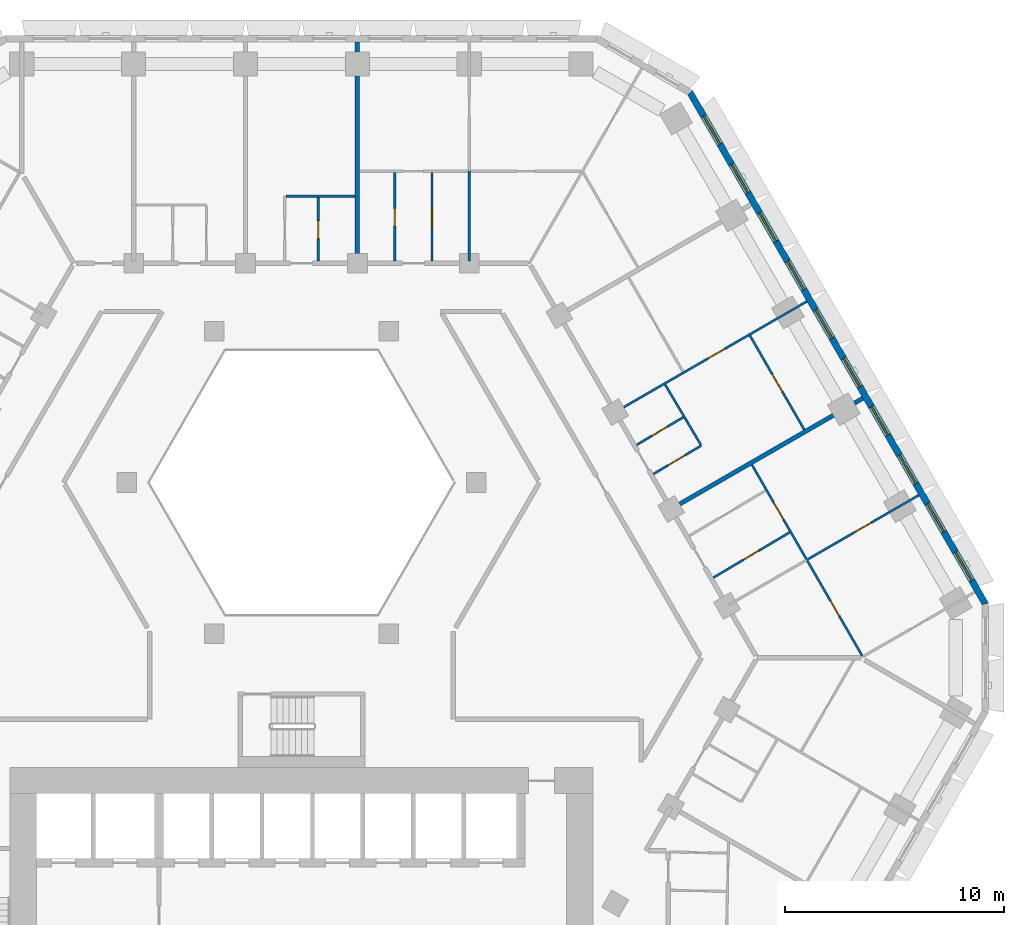
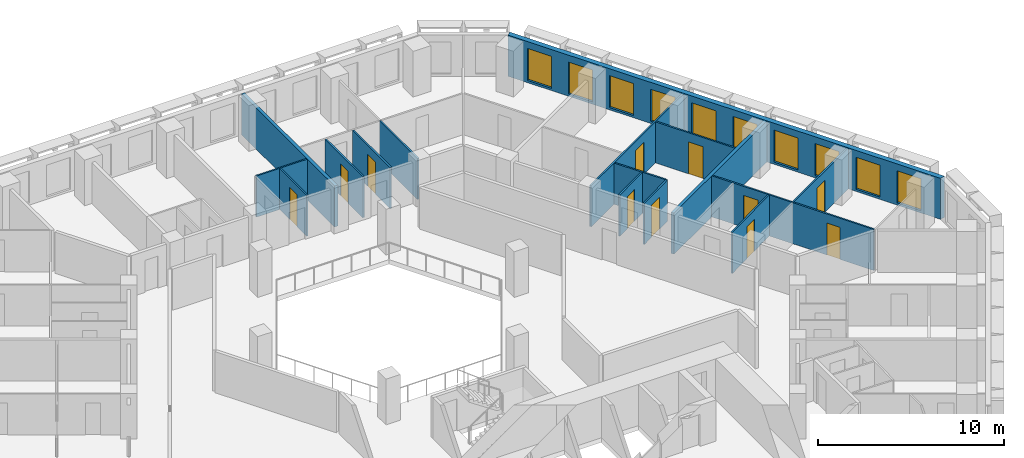
# One storey, part 11 of 21: 16 walls, 11 doors, 10 windows, 21 openings.
"""IFC4 building model written with IfcOpenShell, lengths in metres."""

from ifc_helpers import new_model, si_unit, direction, frame, frame_2d, origin, place, context, subcontext, project, spatial, polyline, rectangle, outline, extrude, material, layer, layer_set, type_object, element, fill, save


model = new_model("IFC4")

# Units and contexts
model_context = context("Model", 3, precision=1e-05, world=origin(), true_north=direction((0.0, 1.0)))
body_context = subcontext(model_context, "Body", "Model", "MODEL_VIEW")
ifc_project = project(units=[si_unit("LENGTHUNIT", "METRE"), si_unit("AREAUNIT", "SQUARE_METRE"), si_unit("VOLUMEUNIT", "CUBIC_METRE"), si_unit("PLANEANGLEUNIT", "RADIAN"), si_unit("MASSUNIT", "GRAM", prefix="KILO")], contexts=[model_context])

# Site, building, storey
site_placement = place(None, origin())
site = spatial("IfcSite", under=ifc_project, at=site_placement, CompositionType="ELEMENT")
building_placement = place(site_placement, origin())
building = spatial("IfcBuilding", under=site, at=building_placement, Name="Beryl Residences", CompositionType="ELEMENT")
storey_placement = place(building_placement, frame((0.0, 0.0, 35.39990234375)))
storey = spatial("IfcBuildingStorey", under=building, at=storey_placement, Name="L10", CompositionType="ELEMENT", Elevation=35.39990234375)

# Wall, openings, windows
ifc_material_1 = material(Name="Composite metal panel with mineral wool insulation")
ifc_layer_1 = layer(ifc_material_1, 0.300048828125)
ifc_layer_set_1 = layer_set([ifc_layer_1], Name="ES1 pale metal composite panel wall 300 mm")
wall_type_1 = type_object("IfcWallType", Name="ES1 pale metal composite panel wall 300 mm", PredefinedType="SOLIDWALL", material=ifc_layer_set_1)
wall_1_placement = place(storey_placement, frame((31.219970703125, 2.425048828125, 0.0), z_axis=(0.0, 0.0, 1.0), x_axis=(-0.500001938803, 0.866024284413, 0.0)))
wall_1 = element("IfcWall", 1, at=wall_1_placement, inside=storey, type_object=wall_type_1, Name="ES1 external wall L10 NE", PredefinedType="SOLIDWALL", context=body_context, shape_type="SweptSolid", body=[
    extrude(outline(polyline([(0.0, -0.14990234375), (27.02001953125, -0.14990234375), (26.939697265625, 0.14990234375), (0.080322265625, 0.14990234375), (0.0, -0.14990234375)])), origin(), (0.0, 0.0, 1.0), 2.7001953125),
])
opening_1_placement = place(wall_1_placement, frame((1.277099609375, 0.0, 0.14990234375)))
opening_1 = element("IfcOpeningElement", 2, at=opening_1_placement, cuts=wall_1, Name="Opening W1", PredefinedType="OPENING", context=body_context, shape_type="SweptSolid", body=[
    extrude(rectangle(XDim=1.5, YDim=2.10009765625, at=frame_2d((0.75, 1.050048828125))), frame((0.0, 0.159912109375, 0.0), z_axis=(0.0, -1.0, 0.0), x_axis=(1.0, 0.0, 0.0)), (0.0, 0.0, 1.0), 0.320068359375),
])
opening_2_placement = place(wall_1_placement, frame((3.8291015625, 0.0, 0.14990234375)))
opening_2 = element("IfcOpeningElement", 3, at=opening_2_placement, cuts=wall_1, Name="Opening W1", PredefinedType="OPENING", context=body_context, shape_type="SweptSolid", body=[
    extrude(rectangle(XDim=1.5, YDim=2.10009765625, at=frame_2d((0.75, 1.050048828125))), frame((0.0, 0.159912109375, 0.0), z_axis=(0.0, -1.0, 0.0), x_axis=(1.0, 0.0, 0.0)), (0.0, 0.0, 1.0), 0.320068359375),
])
opening_3_placement = place(wall_1_placement, frame((6.382080078125, 0.0, 0.14990234375)))
opening_3 = element("IfcOpeningElement", 4, at=opening_3_placement, cuts=wall_1, Name="Opening W1", PredefinedType="OPENING", context=body_context, shape_type="SweptSolid", body=[
    extrude(rectangle(XDim=1.5, YDim=2.10009765625, at=frame_2d((0.75, 1.050048828125))), frame((0.0, 0.159912109375, 0.0), z_axis=(0.0, -1.0, 0.0), x_axis=(1.0, 0.0, 0.0)), (0.0, 0.0, 1.0), 0.320068359375),
])
opening_4_placement = place(wall_1_placement, frame((8.93310546875, 0.0, 0.14990234375)))
opening_4 = element("IfcOpeningElement", 5, at=opening_4_placement, cuts=wall_1, Name="Opening W1", PredefinedType="OPENING", context=body_context, shape_type="SweptSolid", body=[
    extrude(rectangle(XDim=1.5, YDim=2.10009765625, at=frame_2d((0.75, 1.050048828125))), frame((0.0, 0.159912109375, 0.0), z_axis=(0.0, -1.0, 0.0), x_axis=(1.0, 0.0, 0.0)), (0.0, 0.0, 1.0), 0.320068359375),
])
opening_5_placement = place(wall_1_placement, frame((11.485107421875, 0.0, 0.14990234375)))
opening_5 = element("IfcOpeningElement", 6, at=opening_5_placement, cuts=wall_1, Name="Opening W1", PredefinedType="OPENING", context=body_context, shape_type="SweptSolid", body=[
    extrude(rectangle(XDim=1.5, YDim=2.10009765625, at=frame_2d((0.75, 1.050048828125))), frame((0.0, 0.159912109375, 0.0), z_axis=(0.0, -1.0, 0.0), x_axis=(1.0, 0.0, 0.0)), (0.0, 0.0, 1.0), 0.320068359375),
])
opening_6_placement = place(wall_1_placement, frame((14.037109375, 0.0, 0.14990234375)))
opening_6 = element("IfcOpeningElement", 7, at=opening_6_placement, cuts=wall_1, Name="Opening W1", PredefinedType="OPENING", context=body_context, shape_type="SweptSolid", body=[
    extrude(rectangle(XDim=1.5, YDim=2.10009765625, at=frame_2d((0.75, 1.050048828125))), frame((0.0, 0.159912109375, 0.0), z_axis=(0.0, -1.0, 0.0), x_axis=(1.0, 0.0, 0.0)), (0.0, 0.0, 1.0), 0.320068359375),
])
opening_7_placement = place(wall_1_placement, frame((16.589111328125, 0.0, 0.14990234375)))
opening_7 = element("IfcOpeningElement", 8, at=opening_7_placement, cuts=wall_1, Name="Opening W1", PredefinedType="OPENING", context=body_context, shape_type="SweptSolid", body=[
    extrude(rectangle(XDim=1.5, YDim=2.10009765625, at=frame_2d((0.75, 1.050048828125))), frame((0.0, 0.159912109375, 0.0), z_axis=(0.0, -1.0, 0.0), x_axis=(1.0, 0.0, 0.0)), (0.0, 0.0, 1.0), 0.320068359375),
])
opening_8_placement = place(wall_1_placement, frame((19.14111328125, 0.0, 0.14990234375)))
opening_8 = element("IfcOpeningElement", 9, at=opening_8_placement, cuts=wall_1, Name="Opening W1", PredefinedType="OPENING", context=body_context, shape_type="SweptSolid", body=[
    extrude(rectangle(XDim=1.5, YDim=2.10009765625, at=frame_2d((0.75, 1.050048828125))), frame((0.0, 0.159912109375, 0.0), z_axis=(0.0, -1.0, 0.0), x_axis=(1.0, 0.0, 0.0)), (0.0, 0.0, 1.0), 0.320068359375),
])
opening_9_placement = place(wall_1_placement, frame((21.693115234375, 0.0, 0.14990234375)))
opening_9 = element("IfcOpeningElement", 10, at=opening_9_placement, cuts=wall_1, Name="Opening W1", PredefinedType="OPENING", context=body_context, shape_type="SweptSolid", body=[
    extrude(rectangle(XDim=1.5, YDim=2.10009765625, at=frame_2d((0.75, 1.050048828125))), frame((0.0, 0.159912109375, 0.0), z_axis=(0.0, -1.0, 0.0), x_axis=(1.0, 0.0, 0.0)), (0.0, 0.0, 1.0), 0.320068359375),
])
opening_10_placement = place(wall_1_placement, frame((24.243896484375, 0.0, 0.14990234375)))
opening_10 = element("IfcOpeningElement", 11, at=opening_10_placement, cuts=wall_1, Name="Opening W1", PredefinedType="OPENING", context=body_context, shape_type="SweptSolid", body=[
    extrude(rectangle(XDim=1.5, YDim=2.10009765625, at=frame_2d((0.75, 1.050048828125))), frame((0.0, 0.159912109375, 0.0), z_axis=(0.0, -1.0, 0.0), x_axis=(1.0, 0.0, 0.0)), (0.0, 0.0, 1.0), 0.320068359375),
])
ifc_material_2 = material(Name="Aluminium and clear glass", Category="aluminium")
window_type = type_object("IfcWindowType", Name="W1 cell window 1500 x 2100 mm", PartitioningType="SINGLE_PANEL", PredefinedType="WINDOW", material=ifc_material_2)
window_1_placement = place(opening_1_placement, origin())
window_1 = element("IfcWindow", 12, at=window_1_placement, inside=storey, type_object=window_type, Name="W1 window L10 NE 1", OverallHeight=2.10009765625, OverallWidth=1.5, PartitioningType="SINGLE_PANEL", PredefinedType="WINDOW", context=body_context, shape_type="SweptSolid", body=[
    extrude(rectangle(XDim=1.5, YDim=2.10009765625, at=frame_2d((0.75, 1.050048828125))), frame((0.0, 0.030029296875, 0.0), z_axis=(0.0, -1.0, 0.0), x_axis=(1.0, 0.0, 0.0)), (0.0, 0.0, 1.0), 0.06005859375),
])
fill(opening_1, window_1)
window_2_placement = place(opening_2_placement, origin())
window_2 = element("IfcWindow", 13, at=window_2_placement, inside=storey, type_object=window_type, Name="W1 window L10 NE 2", OverallHeight=2.10009765625, OverallWidth=1.5, PartitioningType="SINGLE_PANEL", PredefinedType="WINDOW", context=body_context, shape_type="SweptSolid", body=[
    extrude(rectangle(XDim=1.5, YDim=2.10009765625, at=frame_2d((0.75, 1.050048828125))), frame((0.0, 0.030029296875, 0.0), z_axis=(0.0, -1.0, 0.0), x_axis=(1.0, 0.0, 0.0)), (0.0, 0.0, 1.0), 0.06005859375),
])
fill(opening_2, window_2)
window_3_placement = place(opening_3_placement, origin())
window_3 = element("IfcWindow", 14, at=window_3_placement, inside=storey, type_object=window_type, Name="W1 window L10 NE 3", OverallHeight=2.10009765625, OverallWidth=1.5, PartitioningType="SINGLE_PANEL", PredefinedType="WINDOW", context=body_context, shape_type="SweptSolid", body=[
    extrude(rectangle(XDim=1.5, YDim=2.10009765625, at=frame_2d((0.75, 1.050048828125))), frame((0.0, 0.030029296875, 0.0), z_axis=(0.0, -1.0, 0.0), x_axis=(1.0, 0.0, 0.0)), (0.0, 0.0, 1.0), 0.06005859375),
])
fill(opening_3, window_3)
window_4_placement = place(opening_4_placement, origin())
window_4 = element("IfcWindow", 15, at=window_4_placement, inside=storey, type_object=window_type, Name="W1 window L10 NE 4", OverallHeight=2.10009765625, OverallWidth=1.5, PartitioningType="SINGLE_PANEL", PredefinedType="WINDOW", context=body_context, shape_type="SweptSolid", body=[
    extrude(rectangle(XDim=1.5, YDim=2.10009765625, at=frame_2d((0.75, 1.050048828125))), frame((0.0, 0.030029296875, 0.0), z_axis=(0.0, -1.0, 0.0), x_axis=(1.0, 0.0, 0.0)), (0.0, 0.0, 1.0), 0.06005859375),
])
fill(opening_4, window_4)
window_5_placement = place(opening_5_placement, origin())
window_5 = element("IfcWindow", 16, at=window_5_placement, inside=storey, type_object=window_type, Name="W1 window L10 NE 5", OverallHeight=2.10009765625, OverallWidth=1.5, PartitioningType="SINGLE_PANEL", PredefinedType="WINDOW", context=body_context, shape_type="SweptSolid", body=[
    extrude(rectangle(XDim=1.5, YDim=2.10009765625, at=frame_2d((0.75, 1.050048828125))), frame((0.0, 0.030029296875, 0.0), z_axis=(0.0, -1.0, 0.0), x_axis=(1.0, 0.0, 0.0)), (0.0, 0.0, 1.0), 0.06005859375),
])
fill(opening_5, window_5)
window_6_placement = place(opening_6_placement, origin())
window_6 = element("IfcWindow", 17, at=window_6_placement, inside=storey, type_object=window_type, Name="W1 window L10 NE 6", OverallHeight=2.10009765625, OverallWidth=1.5, PartitioningType="SINGLE_PANEL", PredefinedType="WINDOW", context=body_context, shape_type="SweptSolid", body=[
    extrude(rectangle(XDim=1.5, YDim=2.10009765625, at=frame_2d((0.75, 1.050048828125))), frame((0.0, 0.030029296875, 0.0), z_axis=(0.0, -1.0, 0.0), x_axis=(1.0, 0.0, 0.0)), (0.0, 0.0, 1.0), 0.06005859375),
])
fill(opening_6, window_6)
window_7_placement = place(opening_7_placement, origin())
window_7 = element("IfcWindow", 18, at=window_7_placement, inside=storey, type_object=window_type, Name="W1 window L10 NE 7", OverallHeight=2.10009765625, OverallWidth=1.5, PartitioningType="SINGLE_PANEL", PredefinedType="WINDOW", context=body_context, shape_type="SweptSolid", body=[
    extrude(rectangle(XDim=1.5, YDim=2.10009765625, at=frame_2d((0.75, 1.050048828125))), frame((0.0, 0.030029296875, 0.0), z_axis=(0.0, -1.0, 0.0), x_axis=(1.0, 0.0, 0.0)), (0.0, 0.0, 1.0), 0.06005859375),
])
fill(opening_7, window_7)
window_8_placement = place(opening_8_placement, origin())
window_8 = element("IfcWindow", 19, at=window_8_placement, inside=storey, type_object=window_type, Name="W1 window L10 NE 8", OverallHeight=2.10009765625, OverallWidth=1.5, PartitioningType="SINGLE_PANEL", PredefinedType="WINDOW", context=body_context, shape_type="SweptSolid", body=[
    extrude(rectangle(XDim=1.5, YDim=2.10009765625, at=frame_2d((0.75, 1.050048828125))), frame((0.0, 0.030029296875, 0.0), z_axis=(0.0, -1.0, 0.0), x_axis=(1.0, 0.0, 0.0)), (0.0, 0.0, 1.0), 0.06005859375),
])
fill(opening_8, window_8)
window_9_placement = place(opening_9_placement, origin())
window_9 = element("IfcWindow", 20, at=window_9_placement, inside=storey, type_object=window_type, Name="W1 window L10 NE 9", OverallHeight=2.10009765625, OverallWidth=1.5, PartitioningType="SINGLE_PANEL", PredefinedType="WINDOW", context=body_context, shape_type="SweptSolid", body=[
    extrude(rectangle(XDim=1.5, YDim=2.10009765625, at=frame_2d((0.75, 1.050048828125))), frame((0.0, 0.030029296875, 0.0), z_axis=(0.0, -1.0, 0.0), x_axis=(1.0, 0.0, 0.0)), (0.0, 0.0, 1.0), 0.06005859375),
])
fill(opening_9, window_9)
window_10_placement = place(opening_10_placement, origin())
window_10 = element("IfcWindow", 21, at=window_10_placement, inside=storey, type_object=window_type, Name="W1 window L10 NE 10", OverallHeight=2.10009765625, OverallWidth=1.5, PartitioningType="SINGLE_PANEL", PredefinedType="WINDOW", context=body_context, shape_type="SweptSolid", body=[
    extrude(rectangle(XDim=1.5, YDim=2.10009765625, at=frame_2d((0.75, 1.050048828125))), frame((0.0, 0.030029296875, 0.0), z_axis=(0.0, -1.0, 0.0), x_axis=(1.0, 0.0, 0.0)), (0.0, 0.0, 1.0), 0.06005859375),
])
fill(opening_10, window_10)

# Wall
ifc_material_3 = material(Name="Gypsum board partition on steel studs", Category="steel")
ifc_layer_2 = layer(ifc_material_3, 0.10009765625)
ifc_layer_set_2 = layer_set([ifc_layer_2], Name="PT1 partition 100 mm gypsum board on steel studs")
wall_type_2 = type_object("IfcWallType", Name="PT1 partition 100 mm gypsum board on steel studs", PredefinedType="PARTITIONING", material=ifc_layer_set_2)
wall_2_placement = place(storey_placement, frame((16.589111328125, 12.468017578125, 0.0), z_axis=(0.0, 0.0, 1.0), x_axis=(0.510331599186, -0.859977708358, 0.0)))
element("IfcWall", 22, at=wall_2_placement, inside=storey, type_object=wall_type_2, Name="Wall PT1 L10 001", PredefinedType="PARTITIONING", context=body_context, shape_type="SweptSolid", body=[
    extrude(rectangle(XDim=3.18603515625, YDim=0.10009765625, at=frame_2d((1.593017578125, 0.0))), origin(), (0.0, 0.0, 1.0), 2.7001953125),
])

# Wall, openings, doors
wall_3_placement = place(storey_placement, frame((20.551025390625, 8.804931640625, 0.0), z_axis=(0.0, 0.0, 1.0), x_axis=(0.499984387913, -0.86603441724, 0.0)))
wall_3 = element("IfcWall", 23, at=wall_3_placement, inside=storey, type_object=wall_type_2, Name="Wall PT1 L10 005", PredefinedType="PARTITIONING", context=body_context, shape_type="SweptSolid", body=[
    extrude(rectangle(XDim=10.058349609375, YDim=0.10009765625, at=frame_2d((5.029296875, 0.0))), origin(), (0.0, 0.0, 1.0), 2.7001953125),
])
opening_11_placement = place(wall_3_placement, frame((1.97802734375, 0.0, 0.0)))
opening_11 = element("IfcOpeningElement", 24, at=opening_11_placement, cuts=wall_3, Name="Opening D0131", PredefinedType="OPENING", context=body_context, shape_type="SweptSolid", body=[
    extrude(rectangle(XDim=0.89990234375, YDim=2.10009765625, at=frame_2d((0.449951171875, 1.050048828125))), frame((0.0, 0.06005859375, 0.0), z_axis=(0.0, -1.0, 0.0), x_axis=(1.0, 0.0, 0.0)), (0.0, 0.0, 1.0), 0.1201171875),
])
opening_12_placement = place(wall_3_placement, frame((7.156982421875, 0.0, 0.0)))
opening_12 = element("IfcOpeningElement", 25, at=opening_12_placement, cuts=wall_3, Name="Opening D0134", PredefinedType="OPENING", context=body_context, shape_type="SweptSolid", body=[
    extrude(rectangle(XDim=0.800048828125, YDim=2.10009765625, at=frame_2d((0.39990234375, 1.050048828125))), frame((0.0, 0.06005859375, 0.0), z_axis=(0.0, -1.0, 0.0), x_axis=(1.0, 0.0, 0.0)), (0.0, 0.0, 1.0), 0.1201171875),
])
ifc_material_4 = material(Name="Timber door leaf", Category="wood")
door_type_1 = type_object("IfcDoorType", Name="D2 room door 900 x 2100 mm", OperationType="SINGLE_SWING_LEFT", PredefinedType="DOOR", material=ifc_material_4)
door_1_placement = place(opening_11_placement, origin())
door_1 = element("IfcDoor", 26, at=door_1_placement, inside=storey, type_object=door_type_1, Name="Door D0131 L10 001", OperationType="SINGLE_SWING_LEFT", OverallHeight=2.10009765625, OverallWidth=0.89990234375, PredefinedType="DOOR", context=body_context, shape_type="SweptSolid", body=[
    extrude(rectangle(XDim=0.89990234375, YDim=2.10009765625, at=frame_2d((0.449951171875, 1.050048828125))), frame((0.0, 0.02490234375, 0.0), z_axis=(0.0, -1.0, 0.0), x_axis=(1.0, 0.0, 0.0)), (0.0, 0.0, 1.0), 0.050048828125),
])
fill(opening_11, door_1)
ifc_material_5 = material(Name="Timber door leaf", Category="wood")
door_type_2 = type_object("IfcDoorType", Name="D3 bathroom door 800 x 2100 mm", OperationType="SINGLE_SWING_LEFT", PredefinedType="DOOR", material=ifc_material_5)
door_2_placement = place(opening_12_placement, origin())
door_2 = element("IfcDoor", 27, at=door_2_placement, inside=storey, type_object=door_type_2, Name="Door D0134 L10 001", OperationType="SINGLE_SWING_RIGHT", OverallHeight=2.10009765625, OverallWidth=0.800048828125, PredefinedType="DOOR", context=body_context, shape_type="SweptSolid", body=[
    extrude(rectangle(XDim=0.800048828125, YDim=2.10009765625, at=frame_2d((0.39990234375, 1.050048828125))), frame((0.0, 0.02490234375, 0.0), z_axis=(0.0, -1.0, 0.0), x_axis=(1.0, 0.0, 0.0)), (0.0, 0.0, 1.0), 0.050048828125),
])
fill(opening_12, door_2)

# Wall, opening, door
wall_4_placement = place(storey_placement, frame((20.4599609375, 14.702880859375, 0.0), z_axis=(0.0, 0.0, 1.0), x_axis=(0.499903082856, -0.866081351693, 0.0)))
wall_4 = element("IfcWall", 28, at=wall_4_placement, inside=storey, type_object=wall_type_2, Name="Wall PT1 L10 006", PredefinedType="PARTITIONING", context=body_context, shape_type="SweptSolid", body=[
    extrude(rectangle(XDim=4.953125, YDim=0.10009765625, at=frame_2d((2.4765625, 0.0))), origin(), (0.0, 0.0, 1.0), 2.7001953125),
])
opening_13_placement = place(wall_4_placement, frame((2.052001953125, 0.0, 0.0)))
opening_13 = element("IfcOpeningElement", 29, at=opening_13_placement, cuts=wall_4, Name="Opening D0138", PredefinedType="OPENING", context=body_context, shape_type="SweptSolid", body=[
    extrude(rectangle(XDim=0.89990234375, YDim=2.10009765625, at=frame_2d((0.449951171875, 1.050048828125))), frame((0.0, 0.06005859375, 0.0), z_axis=(0.0, -1.0, 0.0), x_axis=(1.0, 0.0, 0.0)), (0.0, 0.0, 1.0), 0.1201171875),
])
door_3_placement = place(opening_13_placement, origin())
door_3 = element("IfcDoor", 30, at=door_3_placement, inside=storey, type_object=door_type_1, Name="Door D0138 L10 001", OperationType="SINGLE_SWING_RIGHT", OverallHeight=2.10009765625, OverallWidth=0.89990234375, PredefinedType="DOOR", context=body_context, shape_type="SweptSolid", body=[
    extrude(rectangle(XDim=0.89990234375, YDim=2.10009765625, at=frame_2d((0.449951171875, 1.050048828125))), frame((0.0, 0.02490234375, 0.0), z_axis=(0.0, -1.0, 0.0), x_axis=(1.0, 0.0, 0.0)), (0.0, 0.0, 1.0), 0.050048828125),
])
fill(opening_13, door_3)

# Wall
wall_5_placement = place(storey_placement, frame((-0.716064453125, 21.06005859375, 0.0), z_axis=(0.0, 0.0, 1.0), x_axis=(1.0, 0.0, 0.0)))
element("IfcWall", 31, at=wall_5_placement, inside=storey, type_object=wall_type_2, Name="Wall PT1 L10 033", PredefinedType="PARTITIONING", context=body_context, shape_type="SweptSolid", body=[
    extrude(rectangle(XDim=3.1669921875, YDim=0.10009765625, at=frame_2d((1.58349609375, 0.0))), origin(), (0.0, 0.0, 1.0), 2.7001953125),
])

# Wall, opening, door
wall_6_placement = place(storey_placement, frame((4.2529296875, 18.10009765625, 0.0), z_axis=(0.0, 0.0, 1.0), x_axis=(0.0, 1.0, 0.0)))
wall_6 = element("IfcWall", 32, at=wall_6_placement, inside=storey, type_object=wall_type_2, Name="Wall PT1 L10 042", PredefinedType="PARTITIONING", context=body_context, shape_type="SweptSolid", body=[
    extrude(rectangle(XDim=4.0498046875, YDim=0.10009765625, at=frame_2d((2.02490234375, 0.0))), origin(), (0.0, 0.0, 1.0), 2.7001953125),
])
opening_14_placement = place(wall_6_placement, frame((1.60009765625, 0.0, 0.0)))
opening_14 = element("IfcOpeningElement", 33, at=opening_14_placement, cuts=wall_6, Name="Opening D0142", PredefinedType="OPENING", context=body_context, shape_type="SweptSolid", body=[
    extrude(rectangle(XDim=0.800048828125, YDim=2.10009765625, at=frame_2d((0.39990234375, 1.050048828125))), frame((0.0, 0.06005859375, 0.0), z_axis=(0.0, -1.0, 0.0), x_axis=(1.0, 0.0, 0.0)), (0.0, 0.0, 1.0), 0.1201171875),
])
door_4_placement = place(opening_14_placement, origin())
door_4 = element("IfcDoor", 34, at=door_4_placement, inside=storey, type_object=door_type_2, Name="Door D0142 L10 001", OperationType="SINGLE_SWING_RIGHT", OverallHeight=2.10009765625, OverallWidth=0.800048828125, PredefinedType="DOOR", context=body_context, shape_type="SweptSolid", body=[
    extrude(rectangle(XDim=0.800048828125, YDim=2.10009765625, at=frame_2d((0.39990234375, 1.050048828125))), frame((0.0, 0.02490234375, 0.0), z_axis=(0.0, -1.0, 0.0), x_axis=(1.0, 0.0, 0.0)), (0.0, 0.0, 1.0), 0.050048828125),
])
fill(opening_14, door_4)

wall_7_placement = place(storey_placement, frame((5.952880859375, 18.10009765625, 0.0), z_axis=(0.0, 0.0, 1.0), x_axis=(0.0, 1.0, 0.0)))
wall_7 = element("IfcWall", 35, at=wall_7_placement, inside=storey, type_object=wall_type_2, Name="Wall PT1 L10 045", PredefinedType="PARTITIONING", context=body_context, shape_type="SweptSolid", body=[
    extrude(rectangle(XDim=4.0498046875, YDim=0.10009765625, at=frame_2d((2.02490234375, 0.0))), origin(), (0.0, 0.0, 1.0), 2.7001953125),
])
opening_15_placement = place(wall_7_placement, frame((1.550048828125, 0.0, 0.0)))
opening_15 = element("IfcOpeningElement", 36, at=opening_15_placement, cuts=wall_7, Name="Opening D0143", PredefinedType="OPENING", context=body_context, shape_type="SweptSolid", body=[
    extrude(rectangle(XDim=0.89990234375, YDim=2.10009765625, at=frame_2d((0.449951171875, 1.050048828125))), frame((0.0, 0.06005859375, 0.0), z_axis=(0.0, -1.0, 0.0), x_axis=(1.0, 0.0, 0.0)), (0.0, 0.0, 1.0), 0.1201171875),
])
door_5_placement = place(opening_15_placement, origin())
door_5 = element("IfcDoor", 37, at=door_5_placement, inside=storey, type_object=door_type_1, Name="Door D0143 L10 001", OperationType="SINGLE_SWING_LEFT", OverallHeight=2.10009765625, OverallWidth=0.89990234375, PredefinedType="DOOR", context=body_context, shape_type="SweptSolid", body=[
    extrude(rectangle(XDim=0.89990234375, YDim=2.10009765625, at=frame_2d((0.449951171875, 1.050048828125))), frame((0.0, 0.02490234375, 0.0), z_axis=(0.0, -1.0, 0.0), x_axis=(1.0, 0.0, 0.0)), (0.0, 0.0, 1.0), 0.050048828125),
])
fill(opening_15, door_5)

wall_8_placement = place(storey_placement, frame((0.764892578125, 18.10009765625, 0.0), z_axis=(0.0, 0.0, 1.0), x_axis=(0.0, 1.0, 0.0)))
wall_8 = element("IfcWall", 38, at=wall_8_placement, inside=storey, type_object=wall_type_2, Name="Wall PT1 L10 046", PredefinedType="PARTITIONING", context=body_context, shape_type="SweptSolid", body=[
    extrude(rectangle(XDim=2.909912109375, YDim=0.10009765625, at=frame_2d((1.455078125, 0.0))), origin(), (0.0, 0.0, 1.0), 2.7001953125),
])
opening_16_placement = place(wall_8_placement, frame((1.030029296875, 0.0, 0.0)))
opening_16 = element("IfcOpeningElement", 39, at=opening_16_placement, cuts=wall_8, Name="Opening D0151", PredefinedType="OPENING", context=body_context, shape_type="SweptSolid", body=[
    extrude(rectangle(XDim=0.800048828125, YDim=2.10009765625, at=frame_2d((0.39990234375, 1.050048828125))), frame((0.0, 0.06005859375, 0.0), z_axis=(0.0, -1.0, 0.0), x_axis=(1.0, 0.0, 0.0)), (0.0, 0.0, 1.0), 0.1201171875),
])
door_6_placement = place(opening_16_placement, origin())
door_6 = element("IfcDoor", 40, at=door_6_placement, inside=storey, type_object=door_type_2, Name="Door D0151 L10 001", OperationType="SINGLE_SWING_LEFT", OverallHeight=2.10009765625, OverallWidth=0.800048828125, PredefinedType="DOOR", context=body_context, shape_type="SweptSolid", body=[
    extrude(rectangle(XDim=0.800048828125, YDim=2.10009765625, at=frame_2d((0.39990234375, 1.050048828125))), frame((0.0, 0.02490234375, 0.0), z_axis=(0.0, -1.0, 0.0), x_axis=(1.0, 0.0, 0.0)), (0.0, 0.0, 1.0), 0.050048828125),
])
fill(opening_16, door_6)

# Wall
wall_9_placement = place(storey_placement, frame((7.655029296875, 18.10009765625, 0.0), z_axis=(0.0, 0.0, 1.0), x_axis=(0.0, 1.0, 0.0)))
element("IfcWall", 41, at=wall_9_placement, inside=storey, type_object=wall_type_2, Name="Wall PT1 L10 047", PredefinedType="PARTITIONING", context=body_context, shape_type="SweptSolid", body=[
    extrude(rectangle(XDim=4.099853515625, YDim=0.10009765625, at=frame_2d((2.0498046875, 0.0))), origin(), (0.0, 0.0, 1.0), 2.7001953125),
])

# Wall, opening, door
wall_10_placement = place(storey_placement, frame((14.39892578125, 11.260986328125, 0.0), z_axis=(0.0, 0.0, 1.0), x_axis=(0.866022959057, 0.500004234368, 0.0)))
wall_10 = element("IfcWall", 42, at=wall_10_placement, inside=storey, type_object=wall_type_2, Name="Wall PT1 L10 066", PredefinedType="PARTITIONING", context=body_context, shape_type="SweptSolid", body=[
    extrude(rectangle(XDim=10.0, YDim=0.10009765625, at=frame_2d((5.0, 0.0))), origin(), (0.0, 0.0, 1.0), 2.7001953125),
])
opening_17_placement = place(wall_10_placement, frame((4.77490234375, 0.0, 0.0)))
opening_17 = element("IfcOpeningElement", 43, at=opening_17_placement, cuts=wall_10, Name="Opening D0139", PredefinedType="OPENING", context=body_context, shape_type="SweptSolid", body=[
    extrude(rectangle(XDim=0.89990234375, YDim=2.10009765625, at=frame_2d((0.449951171875, 1.050048828125))), frame((0.0, 0.06005859375, 0.0), z_axis=(0.0, -1.0, 0.0), x_axis=(1.0, 0.0, 0.0)), (0.0, 0.0, 1.0), 0.1201171875),
])
door_7_placement = place(opening_17_placement, origin())
door_7 = element("IfcDoor", 44, at=door_7_placement, inside=storey, type_object=door_type_1, Name="Door D0139 L10 001", OperationType="SINGLE_SWING_LEFT", OverallHeight=2.10009765625, OverallWidth=0.89990234375, PredefinedType="DOOR", context=body_context, shape_type="SweptSolid", body=[
    extrude(rectangle(XDim=0.89990234375, YDim=2.10009765625, at=frame_2d((0.449951171875, 1.050048828125))), frame((0.0, 0.02490234375, 0.0), z_axis=(0.0, -1.0, 0.0), x_axis=(1.0, 0.0, 0.0)), (0.0, 0.0, 1.0), 0.050048828125),
])
fill(opening_17, door_7)

wall_11_placement = place(storey_placement, frame((18.7880859375, 3.657958984375, 0.0), z_axis=(0.0, 0.0, 1.0), x_axis=(0.860114269096, 0.510101405701, 0.0)))
wall_11 = element("IfcWall", 45, at=wall_11_placement, inside=storey, type_object=wall_type_2, Name="Wall PT1 L10 068", PredefinedType="PARTITIONING", context=body_context, shape_type="SweptSolid", body=[
    extrude(rectangle(XDim=4.050537109375, YDim=0.10009765625, at=frame_2d((2.025390625, 0.0))), origin(), (0.0, 0.0, 1.0), 2.7001953125),
])
opening_18_placement = place(wall_11_placement, frame((1.60009765625, 0.0, 0.0)))
opening_18 = element("IfcOpeningElement", 46, at=opening_18_placement, cuts=wall_11, Name="Opening D0129", PredefinedType="OPENING", context=body_context, shape_type="SweptSolid", body=[
    extrude(rectangle(XDim=0.800048828125, YDim=2.10009765625, at=frame_2d((0.39990234375, 1.050048828125))), frame((0.0, 0.06005859375, 0.0), z_axis=(0.0, -1.0, 0.0), x_axis=(1.0, 0.0, 0.0)), (0.0, 0.0, 1.0), 0.1201171875),
])
door_8_placement = place(opening_18_placement, origin())
door_8 = element("IfcDoor", 47, at=door_8_placement, inside=storey, type_object=door_type_2, Name="Door D0129 L10 001", OperationType="SINGLE_SWING_LEFT", OverallHeight=2.10009765625, OverallWidth=0.800048828125, PredefinedType="DOOR", context=body_context, shape_type="SweptSolid", body=[
    extrude(rectangle(XDim=0.800048828125, YDim=2.10009765625, at=frame_2d((0.39990234375, 1.050048828125))), frame((0.0, 0.02490234375, 0.0), z_axis=(0.0, -1.0, 0.0), x_axis=(1.0, 0.0, 0.0)), (0.0, 0.0, 1.0), 0.050048828125),
])
fill(opening_18, door_8)

wall_12_placement = place(storey_placement, frame((16.056884765625, 8.388916015625, 0.0), z_axis=(0.0, 0.0, 1.0), x_axis=(0.860036770423, 0.510232058499, 0.0)))
wall_12 = element("IfcWall", 48, at=wall_12_placement, inside=storey, type_object=wall_type_2, Name="Wall PT1 L10 069", PredefinedType="PARTITIONING", context=body_context, shape_type="SweptSolid", body=[
    extrude(rectangle(XDim=2.538330078125, YDim=0.10009765625, at=frame_2d((1.26904296875, 0.0))), origin(), (0.0, 0.0, 1.0), 2.7001953125),
])
opening_19_placement = place(wall_12_placement, frame((0.76904296875, 0.0, 0.0)))
opening_19 = element("IfcOpeningElement", 49, at=opening_19_placement, cuts=wall_12, Name="Opening D0136", PredefinedType="OPENING", context=body_context, shape_type="SweptSolid", body=[
    extrude(rectangle(XDim=0.89990234375, YDim=2.10009765625, at=frame_2d((0.449951171875, 1.050048828125))), frame((0.0, 0.06005859375, 0.0), z_axis=(0.0, -1.0, 0.0), x_axis=(1.0, 0.0, 0.0)), (0.0, 0.0, 1.0), 0.1201171875),
])
door_9_placement = place(opening_19_placement, origin())
door_9 = element("IfcDoor", 50, at=door_9_placement, inside=storey, type_object=door_type_1, Name="Door D0136 L10 001", OperationType="SINGLE_SWING_RIGHT", OverallHeight=2.10009765625, OverallWidth=0.89990234375, PredefinedType="DOOR", context=body_context, shape_type="SweptSolid", body=[
    extrude(rectangle(XDim=0.89990234375, YDim=2.10009765625, at=frame_2d((0.449951171875, 1.050048828125))), frame((0.0, 0.02490234375, 0.0), z_axis=(0.0, -1.0, 0.0), x_axis=(1.0, 0.0, 0.0)), (0.0, 0.0, 1.0), 0.050048828125),
])
fill(opening_19, door_9)

wall_13_placement = place(storey_placement, frame((15.291015625, 9.715087890625, 0.0), z_axis=(0.0, 0.0, 1.0), x_axis=(0.860087708271, 0.510146188932, 0.0)))
wall_13 = element("IfcWall", 51, at=wall_13_placement, inside=storey, type_object=wall_type_2, Name="Wall PT1 L10 070", PredefinedType="PARTITIONING", context=body_context, shape_type="SweptSolid", body=[
    extrude(rectangle(XDim=2.471923828125, YDim=0.10009765625, at=frame_2d((1.23583984375, 0.0))), origin(), (0.0, 0.0, 1.0), 2.7001953125),
])
opening_20_placement = place(wall_13_placement, frame((0.81005859375, 0.0, 0.0)))
opening_20 = element("IfcOpeningElement", 52, at=opening_20_placement, cuts=wall_13, Name="Opening D0137", PredefinedType="OPENING", context=body_context, shape_type="SweptSolid", body=[
    extrude(rectangle(XDim=0.800048828125, YDim=2.10009765625, at=frame_2d((0.39990234375, 1.050048828125))), frame((0.0, 0.06005859375, 0.0), z_axis=(0.0, -1.0, 0.0), x_axis=(1.0, 0.0, 0.0)), (0.0, 0.0, 1.0), 0.1201171875),
])
door_10_placement = place(opening_20_placement, origin())
door_10 = element("IfcDoor", 53, at=door_10_placement, inside=storey, type_object=door_type_2, Name="Door D0137 L10 001", OperationType="SINGLE_SWING_LEFT", OverallHeight=2.10009765625, OverallWidth=0.800048828125, PredefinedType="DOOR", context=body_context, shape_type="SweptSolid", body=[
    extrude(rectangle(XDim=0.800048828125, YDim=2.10009765625, at=frame_2d((0.39990234375, 1.050048828125))), frame((0.0, 0.02490234375, 0.0), z_axis=(0.0, -1.0, 0.0), x_axis=(1.0, 0.0, 0.0)), (0.0, 0.0, 1.0), 0.050048828125),
])
fill(opening_20, door_10)

wall_14_placement = place(storey_placement, frame((23.052978515625, 4.469970703125, 0.0), z_axis=(0.0, 0.0, 1.0), x_axis=(0.866052608538, 0.499952877023, 0.0)))
wall_14 = element("IfcWall", 54, at=wall_14_placement, inside=storey, type_object=wall_type_2, Name="Wall PT1 L10 072", PredefinedType="PARTITIONING", context=body_context, shape_type="SweptSolid", body=[
    extrude(rectangle(XDim=5.900390625, YDim=0.10009765625, at=frame_2d((2.9501953125, 0.0))), origin(), (0.0, 0.0, 1.0), 2.7001953125),
])
opening_21_placement = place(wall_14_placement, frame((2.5009765625, 0.0, 0.0)))
opening_21 = element("IfcOpeningElement", 55, at=opening_21_placement, cuts=wall_14, Name="Opening D0132", PredefinedType="OPENING", context=body_context, shape_type="SweptSolid", body=[
    extrude(rectangle(XDim=0.89990234375, YDim=2.10009765625, at=frame_2d((0.449951171875, 1.050048828125))), frame((0.0, 0.06005859375, 0.0), z_axis=(0.0, -1.0, 0.0), x_axis=(1.0, 0.0, 0.0)), (0.0, 0.0, 1.0), 0.1201171875),
])
door_11_placement = place(opening_21_placement, origin())
door_11 = element("IfcDoor", 56, at=door_11_placement, inside=storey, type_object=door_type_1, Name="Door D0132 L10 001", OperationType="SINGLE_SWING_RIGHT", OverallHeight=2.10009765625, OverallWidth=0.89990234375, PredefinedType="DOOR", context=body_context, shape_type="SweptSolid", body=[
    extrude(rectangle(XDim=0.89990234375, YDim=2.10009765625, at=frame_2d((0.449951171875, 1.050048828125))), frame((0.0, 0.02490234375, 0.0), z_axis=(0.0, -1.0, 0.0), x_axis=(1.0, 0.0, 0.0)), (0.0, 0.0, 1.0), 0.050048828125),
])
fill(opening_21, door_11)

# Walls
ifc_material_6 = material(Name="Acoustic double stud gypsum board wall")
ifc_layer_3 = layer(ifc_material_6, 0.199951171875)
ifc_layer_set_3 = layer_set([ifc_layer_3], Name="PT3 party wall 200 mm acoustic double stud")
wall_type_3 = type_object("IfcWallType", Name="PT3 party wall 200 mm acoustic double stud", PredefinedType="PARTITIONING", material=ifc_layer_set_3)
for number, where, z_axis, x_axis, name in (
    (57, (2.551025390625, 18.10009765625, 0.0), (0.0, 0.0, 1.0), (0.0, 1.0, 0.0), "Wall PT3 L10 018"),
    (58, (16.949951171875, 6.841064453125, 0.0), (0.0, 0.0, 1.0), (0.866022959057, 0.500004234368, 0.0), "Wall PT3 L10 025"),
):
    element("IfcWall", number, at=place(storey_placement, frame(where, z_axis=z_axis, x_axis=x_axis)), inside=storey, type_object=wall_type_3, Name=name, PredefinedType="PARTITIONING", context=body_context, shape_type="SweptSolid", body=[
        extrude(rectangle(XDim=10.0, YDim=0.199951171875, at=frame_2d((5.0, 0.0))), origin(), (0.0, 0.0, 1.0), 2.7001953125),
    ])

save(model, "model.ifc")
